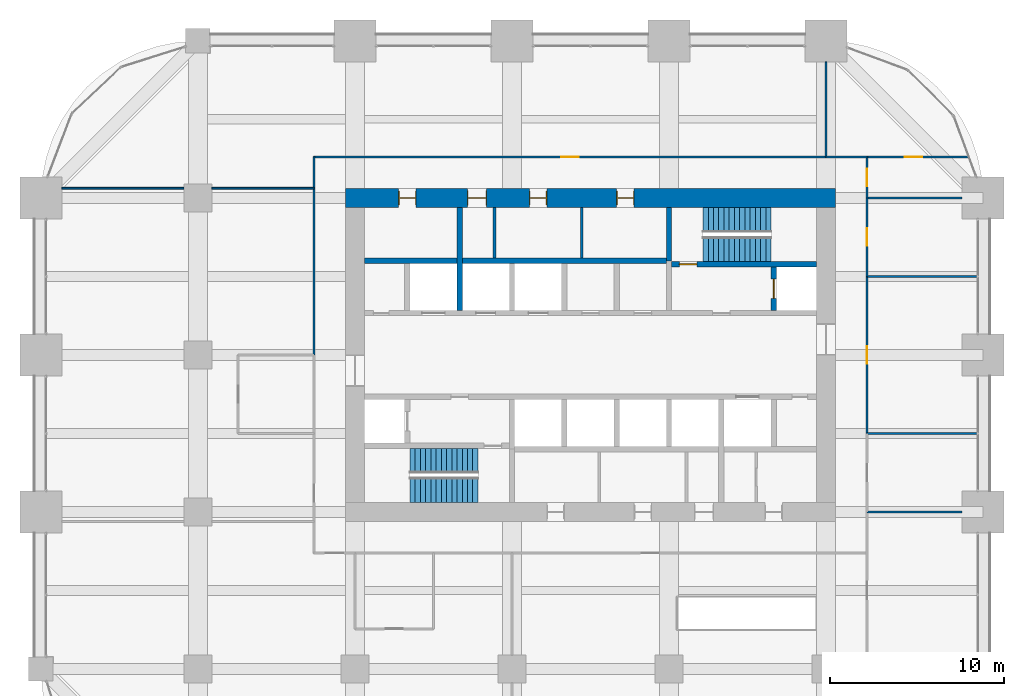
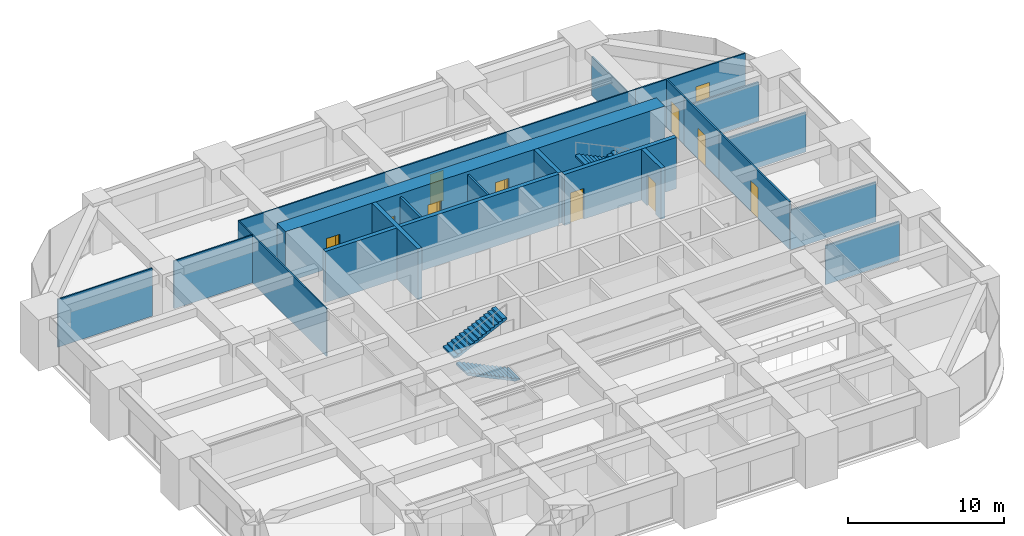
# One storey, part 31 of 33: 22 walls, 11 doors, 4 stair flights, 11 openings, 2 elements without a shape of their own.
"""IFC4 building model written with IfcOpenShell, lengths in metres."""

from ifc_helpers import new_model, si_unit, direction, frame, frame_2d, origin, place, context, subcontext, project, spatial, polyline, rectangle, outline, extrude, material, layer, layer_set, type_object, element, fill, aggregate, save


model = new_model("IFC4")

# Units and contexts
model_context = context("Model", 3, precision=1e-05, world=origin(), true_north=direction((0.0, 1.0)))
body_context = subcontext(model_context, "Body", "Model", "MODEL_VIEW")
ifc_project = project(units=[si_unit("LENGTHUNIT", "METRE"), si_unit("AREAUNIT", "SQUARE_METRE"), si_unit("VOLUMEUNIT", "CUBIC_METRE"), si_unit("PLANEANGLEUNIT", "RADIAN"), si_unit("MASSUNIT", "GRAM", prefix="KILO")], contexts=[model_context])

# Site, building, storey
site_placement = place(None, origin())
site = spatial("IfcSite", under=ifc_project, at=site_placement, CompositionType="ELEMENT")
building_placement = place(site_placement, origin())
building = spatial("IfcBuilding", under=site, at=building_placement, Name="Zorevar Civic Tower", CompositionType="ELEMENT")
storey_placement = place(building_placement, frame((0.0, 0.0, 178.199951171875)))
storey = spatial("IfcBuildingStorey", under=building, at=storey_placement, Name="L43", CompositionType="ELEMENT", Elevation=178.199951171875)

# Wall, openings, doors
ifc_material_1 = material(Name="Concrete C50/60", Category="concrete")
ifc_layer_1 = layer(ifc_material_1, 1.10009765625)
ifc_layer_set_1 = layer_set([ifc_layer_1], Name="Core wall 1100")
wall_type_1 = type_object("IfcWallType", Name="Core wall 1100", PredefinedType="SHEAR", material=ifc_layer_set_1)
wall_1_placement = place(storey_placement, frame((45.550048828125, 36.0, 0.0), z_axis=(0.0, 0.0, 1.0), x_axis=(-1.0, 0.0, 0.0)))
wall_1 = element("IfcWall", 1, at=wall_1_placement, inside=storey, type_object=wall_type_1, Name="Core wall N L43", PredefinedType="SHEAR", context=body_context, shape_type="SweptSolid", body=[
    extrude(rectangle(XDim=28.10009765625, YDim=1.10009765625, at=frame_2d((14.050048828125, 0.0))), origin(), (0.0, 0.0, 1.0), 4.0),
])
opening_1_placement = place(wall_1_placement, frame((11.550048828125, 0.0, 0.0)))
opening_1 = element("IfcOpeningElement", 2, at=opening_1_placement, cuts=wall_1, Name="Opening L43.07", PredefinedType="OPENING", context=body_context, shape_type="SweptSolid", body=[
    extrude(rectangle(XDim=1.0, YDim=2.39990234375, at=frame_2d((0.5, 1.199951171875))), frame((0.0, 0.56005859375, 0.0), z_axis=(0.0, -1.0, 0.0), x_axis=(1.0, 0.0, 0.0)), (0.0, 0.0, 1.0), 1.1201171875),
])
opening_2_placement = place(wall_1_placement, frame((16.550048828125, 0.0, 0.0)))
opening_2 = element("IfcOpeningElement", 3, at=opening_2_placement, cuts=wall_1, Name="Opening L43.08", PredefinedType="OPENING", context=body_context, shape_type="SweptSolid", body=[
    extrude(rectangle(XDim=1.0, YDim=2.39990234375, at=frame_2d((0.5, 1.199951171875))), frame((0.0, 0.56005859375, 0.0), z_axis=(0.0, -1.0, 0.0), x_axis=(1.0, 0.0, 0.0)), (0.0, 0.0, 1.0), 1.1201171875),
])
opening_3_placement = place(wall_1_placement, frame((20.0, 0.0, 0.0)))
opening_3 = element("IfcOpeningElement", 4, at=opening_3_placement, cuts=wall_1, Name="Opening L43.09", PredefinedType="OPENING", context=body_context, shape_type="SweptSolid", body=[
    extrude(rectangle(XDim=1.10009765625, YDim=2.39990234375, at=frame_2d((0.550048828125, 1.199951171875))), frame((0.0, 0.56005859375, 0.0), z_axis=(0.0, -1.0, 0.0), x_axis=(1.0, 0.0, 0.0)), (0.0, 0.0, 1.0), 1.1201171875),
])
opening_4_placement = place(wall_1_placement, frame((24.050048828125, 0.0, 0.0)))
opening_4 = element("IfcOpeningElement", 5, at=opening_4_placement, cuts=wall_1, Name="Opening L43.10", PredefinedType="OPENING", context=body_context, shape_type="SweptSolid", body=[
    extrude(rectangle(XDim=1.0, YDim=2.39990234375, at=frame_2d((0.5, 1.199951171875))), frame((0.0, 0.56005859375, 0.0), z_axis=(0.0, -1.0, 0.0), x_axis=(1.0, 0.0, 0.0)), (0.0, 0.0, 1.0), 1.1201171875),
])
ifc_material_2 = material(Name="Timber door set", Category="wood")
door_type_1 = type_object("IfcDoorType", Name="Door D1 1000x2400", OperationType="SINGLE_SWING_LEFT", PredefinedType="DOOR", material=ifc_material_2)
door_1_placement = place(opening_1_placement, origin())
door_1 = element("IfcDoor", 6, at=door_1_placement, inside=storey, type_object=door_type_1, Name="Door L43 06", OperationType="SINGLE_SWING_RIGHT", OverallHeight=2.39990234375, OverallWidth=1.0, PredefinedType="DOOR", context=body_context, shape_type="SweptSolid", body=[
    extrude(rectangle(XDim=1.0, YDim=2.39990234375, at=frame_2d((0.5, 1.199951171875))), frame((0.0, 0.02490234375, 0.0), z_axis=(0.0, -1.0, 0.0), x_axis=(1.0, 0.0, 0.0)), (0.0, 0.0, 1.0), 0.050048828125),
    extrude(rectangle(XDim=0.04, YDim=2.39990234375, at=frame_2d((0.02001953125, 1.199951171875))), frame((0.0, 0.39990234375, 0.0), z_axis=(0.0, -1.0, 0.0), x_axis=(1.0, 0.0, 0.0)), (0.0, 0.0, 1.0), 0.800048828125),
    extrude(rectangle(XDim=0.04, YDim=2.39990234375, at=frame_2d((0.97998046875, 1.199951171875))), frame((0.0, 0.39990234375, 0.0), z_axis=(0.0, -1.0, 0.0), x_axis=(1.0, 0.0, 0.0)), (0.0, 0.0, 1.0), 0.800048828125),
    extrude(rectangle(XDim=1.0, YDim=0.04, at=frame_2d((0.5, 2.3798828125))), frame((0.0, 0.39990234375, 0.0), z_axis=(0.0, -1.0, 0.0), x_axis=(1.0, 0.0, 0.0)), (0.0, 0.0, 1.0), 0.800048828125),
])
fill(opening_1, door_1)
door_2_placement = place(opening_2_placement, origin())
door_2 = element("IfcDoor", 7, at=door_2_placement, inside=storey, type_object=door_type_1, Name="Door L43 07", OperationType="SINGLE_SWING_LEFT", OverallHeight=2.39990234375, OverallWidth=1.0, PredefinedType="DOOR", context=body_context, shape_type="SweptSolid", body=[
    extrude(rectangle(XDim=1.0, YDim=2.39990234375, at=frame_2d((0.5, 1.199951171875))), frame((0.0, 0.02490234375, 0.0), z_axis=(0.0, -1.0, 0.0), x_axis=(1.0, 0.0, 0.0)), (0.0, 0.0, 1.0), 0.050048828125),
    extrude(rectangle(XDim=0.04, YDim=2.39990234375, at=frame_2d((0.02001953125, 1.199951171875))), frame((0.0, 0.39990234375, 0.0), z_axis=(0.0, -1.0, 0.0), x_axis=(1.0, 0.0, 0.0)), (0.0, 0.0, 1.0), 0.800048828125),
    extrude(rectangle(XDim=0.04, YDim=2.39990234375, at=frame_2d((0.97998046875, 1.199951171875))), frame((0.0, 0.39990234375, 0.0), z_axis=(0.0, -1.0, 0.0), x_axis=(1.0, 0.0, 0.0)), (0.0, 0.0, 1.0), 0.800048828125),
    extrude(rectangle(XDim=1.0, YDim=0.04, at=frame_2d((0.5, 2.3798828125))), frame((0.0, 0.39990234375, 0.0), z_axis=(0.0, -1.0, 0.0), x_axis=(1.0, 0.0, 0.0)), (0.0, 0.0, 1.0), 0.800048828125),
])
fill(opening_2, door_2)
door_3_placement = place(opening_4_placement, origin())
door_3 = element("IfcDoor", 8, at=door_3_placement, inside=storey, type_object=door_type_1, Name="Door L43 09", OperationType="SINGLE_SWING_LEFT", OverallHeight=2.39990234375, OverallWidth=1.0, PredefinedType="DOOR", context=body_context, shape_type="SweptSolid", body=[
    extrude(rectangle(XDim=1.0, YDim=2.39990234375, at=frame_2d((0.5, 1.199951171875))), frame((0.0, 0.02490234375, 0.0), z_axis=(0.0, -1.0, 0.0), x_axis=(1.0, 0.0, 0.0)), (0.0, 0.0, 1.0), 0.050048828125),
    extrude(rectangle(XDim=0.04, YDim=2.39990234375, at=frame_2d((0.02001953125, 1.199951171875))), frame((0.0, 0.39990234375, 0.0), z_axis=(0.0, -1.0, 0.0), x_axis=(1.0, 0.0, 0.0)), (0.0, 0.0, 1.0), 0.800048828125),
    extrude(rectangle(XDim=0.04, YDim=2.39990234375, at=frame_2d((0.97998046875, 1.199951171875))), frame((0.0, 0.39990234375, 0.0), z_axis=(0.0, -1.0, 0.0), x_axis=(1.0, 0.0, 0.0)), (0.0, 0.0, 1.0), 0.800048828125),
    extrude(rectangle(XDim=1.0, YDim=0.04, at=frame_2d((0.5, 2.3798828125))), frame((0.0, 0.39990234375, 0.0), z_axis=(0.0, -1.0, 0.0), x_axis=(1.0, 0.0, 0.0)), (0.0, 0.0, 1.0), 0.800048828125),
])
fill(opening_4, door_3)
ifc_material_3 = material(Name="Timber door set", Category="wood")
door_type_2 = type_object("IfcDoorType", Name="Door D5 1100x2400", OperationType="SINGLE_SWING_LEFT", PredefinedType="DOOR", material=ifc_material_3)
door_4_placement = place(opening_3_placement, origin())
door_4 = element("IfcDoor", 9, at=door_4_placement, inside=storey, type_object=door_type_2, Name="Door L43 08", OperationType="SINGLE_SWING_LEFT", OverallHeight=2.39990234375, OverallWidth=1.10009765625, PredefinedType="DOOR", context=body_context, shape_type="SweptSolid", body=[
    extrude(rectangle(XDim=1.10009765625, YDim=2.39990234375, at=frame_2d((0.550048828125, 1.199951171875))), frame((0.0, 0.02490234375, 0.0), z_axis=(0.0, -1.0, 0.0), x_axis=(1.0, 0.0, 0.0)), (0.0, 0.0, 1.0), 0.050048828125),
    extrude(rectangle(XDim=0.04, YDim=2.39990234375, at=frame_2d((0.02001953125, 1.199951171875))), frame((0.0, 0.43994140625, 0.0), z_axis=(0.0, -1.0, 0.0), x_axis=(1.0, 0.0, 0.0)), (0.0, 0.0, 1.0), 0.880126953125),
    extrude(rectangle(XDim=0.04, YDim=2.39990234375, at=frame_2d((1.080078125, 1.199951171875))), frame((0.0, 0.43994140625, 0.0), z_axis=(0.0, -1.0, 0.0), x_axis=(1.0, 0.0, 0.0)), (0.0, 0.0, 1.0), 0.880126953125),
    extrude(rectangle(XDim=1.10009765625, YDim=0.04, at=frame_2d((0.550048828125, 2.3798828125))), frame((0.0, 0.43994140625, 0.0), z_axis=(0.0, -1.0, 0.0), x_axis=(1.0, 0.0, 0.0)), (0.0, 0.0, 1.0), 0.880126953125),
])
fill(opening_3, door_4)

# Walls
ifc_material_4 = material(Name="Laminated glass in black aluminium frame", Category="aluminium")
ifc_layer_2 = layer(ifc_material_4, 0.10009765625)
ifc_layer_set_2 = layer_set([ifc_layer_2], Name="Glazed partition 100")
wall_type_2 = type_object("IfcWallType", Name="Glazed partition 100", PredefinedType="PARTITIONING", material=ifc_layer_set_2)
wall_2_placement = place(storey_placement, frame((1.199951171875, 36.550048828125, 0.0), z_axis=(0.0, 0.0, 1.0), x_axis=(1.0, 0.0, 0.0)))
element("IfcWall", 10, at=wall_2_placement, inside=storey, type_object=wall_type_2, Name="Glazed partition 100 L43", PredefinedType="PARTITIONING", context=body_context, shape_type="SweptSolid", body=[
    extrude(rectangle(XDim=7.0, YDim=0.10009765625, at=frame_2d((3.5, 0.0))), origin(), (0.0, 0.0, 1.0), 3.75),
])
wall_3_placement = place(storey_placement, frame((9.800048828125, 36.550048828125, 0.0), z_axis=(0.0, 0.0, 1.0), x_axis=(1.0, 0.0, 0.0)))
element("IfcWall", 11, at=wall_3_placement, inside=storey, type_object=wall_type_2, Name="Glazed partition 100 L43", PredefinedType="PARTITIONING", context=body_context, shape_type="SweptSolid", body=[
    extrude(rectangle(XDim=5.849853515625, YDim=0.10009765625, at=frame_2d((2.9248046875, 0.0))), origin(), (0.0, 0.0, 1.0), 3.75),
])

# Wall, opening, door
wall_4_placement = place(storey_placement, frame((15.64990234375, 38.35009765625, 0.0), z_axis=(0.0, 0.0, 1.0), x_axis=(1.0, 0.0, 0.0)))
wall_4 = element("IfcWall", 12, at=wall_4_placement, inside=storey, type_object=wall_type_2, Name="Glazed partition 100 L43", PredefinedType="PARTITIONING", context=body_context, shape_type="SweptSolid", body=[
    extrude(rectangle(XDim=29.35009765625, YDim=0.10009765625, at=frame_2d((14.675048828125, 0.0))), origin(), (0.0, 0.0, 1.0), 3.75),
])
opening_5_placement = place(wall_4_placement, frame((14.175048828125, 0.0, 0.0)))
opening_5 = element("IfcOpeningElement", 13, at=opening_5_placement, cuts=wall_4, Name="Opening L43.28", PredefinedType="OPENING", context=body_context, shape_type="SweptSolid", body=[
    extrude(rectangle(XDim=1.0, YDim=2.39990234375, at=frame_2d((0.5, 1.199951171875))), frame((0.0, 0.06005859375, 0.0), z_axis=(0.0, -1.0, 0.0), x_axis=(1.0, 0.0, 0.0)), (0.0, 0.0, 1.0), 0.1201171875),
])
ifc_material_5 = material(Name="Timber door set", Category="wood")
door_type_3 = type_object("IfcDoorType", Name="Glazed door GD1 1000x2400", OperationType="SINGLE_SWING_LEFT", PredefinedType="DOOR", material=ifc_material_5)
door_5_placement = place(opening_5_placement, origin())
door_5 = element("IfcDoor", 14, at=door_5_placement, inside=storey, type_object=door_type_3, Name="Door L43 D1", OperationType="SINGLE_SWING_LEFT", OverallHeight=2.39990234375, OverallWidth=1.0, PredefinedType="DOOR", context=body_context, shape_type="SweptSolid", body=[
    extrude(rectangle(XDim=1.0, YDim=2.39990234375, at=frame_2d((0.5, 1.199951171875))), frame((0.0, 0.02001953125, 0.0), z_axis=(0.0, -1.0, 0.0), x_axis=(1.0, 0.0, 0.0)), (0.0, 0.0, 1.0), 0.0400390625),
])
fill(opening_5, door_5)

# Wall
wall_5_placement = place(storey_placement, frame((45.0, 38.35009765625, 0.0), z_axis=(0.0, 0.0, 1.0), x_axis=(1.0, 0.0, 0.0)))
element("IfcWall", 15, at=wall_5_placement, inside=storey, type_object=wall_type_2, Name="Glazed partition 100 L43", PredefinedType="PARTITIONING", context=body_context, shape_type="SweptSolid", body=[
    extrude(rectangle(XDim=2.35009765625, YDim=0.10009765625, at=frame_2d((1.175048828125, 0.0))), origin(), (0.0, 0.0, 1.0), 3.75),
])

# Wall, opening, door
wall_6_placement = place(storey_placement, frame((47.35009765625, 38.35009765625, 0.0), z_axis=(0.0, 0.0, 1.0), x_axis=(1.0, 0.0, 0.0)))
wall_6 = element("IfcWall", 16, at=wall_6_placement, inside=storey, type_object=wall_type_2, Name="Glazed partition 100 L43", PredefinedType="PARTITIONING", context=body_context, shape_type="SweptSolid", body=[
    extrude(rectangle(XDim=5.80615234375, YDim=0.10009765625, at=frame_2d((2.903076171875, 0.0))), origin(), (0.0, 0.0, 1.0), 3.75),
])
opening_6_placement = place(wall_6_placement, frame((2.14990234375, 0.0, 0.0)))
opening_6 = element("IfcOpeningElement", 17, at=opening_6_placement, cuts=wall_6, Name="Opening L43.29", PredefinedType="OPENING", context=body_context, shape_type="SweptSolid", body=[
    extrude(rectangle(XDim=1.0, YDim=2.39990234375, at=frame_2d((0.5, 1.199951171875))), frame((0.0, 0.06005859375, 0.0), z_axis=(0.0, -1.0, 0.0), x_axis=(1.0, 0.0, 0.0)), (0.0, 0.0, 1.0), 0.1201171875),
])
door_6_placement = place(opening_6_placement, origin())
door_6 = element("IfcDoor", 18, at=door_6_placement, inside=storey, type_object=door_type_3, Name="Door L43 D1", OperationType="SINGLE_SWING_RIGHT", OverallHeight=2.39990234375, OverallWidth=1.0, PredefinedType="DOOR", context=body_context, shape_type="SweptSolid", body=[
    extrude(rectangle(XDim=1.0, YDim=2.39990234375, at=frame_2d((0.5, 1.199951171875))), frame((0.0, 0.02001953125, 0.0), z_axis=(0.0, -1.0, 0.0), x_axis=(1.0, 0.0, 0.0)), (0.0, 0.0, 1.0), 0.0400390625),
])
fill(opening_6, door_6)

# Walls
wall_7_placement = place(storey_placement, frame((15.64990234375, 27.0, 0.0), z_axis=(0.0, 0.0, 1.0), x_axis=(0.0, 1.0, 0.0)))
element("IfcWall", 19, at=wall_7_placement, inside=storey, type_object=wall_type_2, Name="Glazed partition 100 L43", PredefinedType="PARTITIONING", context=body_context, shape_type="SweptSolid", body=[
    extrude(rectangle(XDim=11.35009765625, YDim=0.10009765625, at=frame_2d((5.675048828125, 0.0))), origin(), (0.0, 0.0, 1.0), 3.75),
])
wall_8_placement = place(storey_placement, frame((45.0, 38.35009765625, 0.0), z_axis=(0.0, 0.0, 1.0), x_axis=(0.0, 1.0, 0.0)))
element("IfcWall", 20, at=wall_8_placement, inside=storey, type_object=wall_type_2, Name="Glazed partition 100 L43", PredefinedType="PARTITIONING", context=body_context, shape_type="SweptSolid", body=[
    extrude(rectangle(XDim=5.449951171875, YDim=0.10009765625, at=frame_2d((2.72509765625, 0.0))), origin(), (0.0, 0.0, 1.0), 3.050048828125),
])

# Wall, opening, door
wall_9_placement = place(storey_placement, frame((47.35009765625, 36.0, 0.0), z_axis=(0.0, 0.0, 1.0), x_axis=(0.0, 1.0, 0.0)))
wall_9 = element("IfcWall", 21, at=wall_9_placement, inside=storey, type_object=wall_type_2, Name="Glazed partition 100 L43", PredefinedType="PARTITIONING", context=body_context, shape_type="SweptSolid", body=[
    extrude(rectangle(XDim=2.35009765625, YDim=0.10009765625, at=frame_2d((1.175048828125, 0.0))), origin(), (0.0, 0.0, 1.0), 3.75),
])
opening_7_placement = place(wall_9_placement, frame((0.675048828125, 0.0, 0.0)))
opening_7 = element("IfcOpeningElement", 22, at=opening_7_placement, cuts=wall_9, Name="Opening L43.36", PredefinedType="OPENING", context=body_context, shape_type="SweptSolid", body=[
    extrude(rectangle(XDim=1.0, YDim=2.39990234375, at=frame_2d((0.5, 1.199951171875))), frame((0.0, 0.06005859375, 0.0), z_axis=(0.0, -1.0, 0.0), x_axis=(1.0, 0.0, 0.0)), (0.0, 0.0, 1.0), 0.1201171875),
])
door_7_placement = place(opening_7_placement, origin())
door_7 = element("IfcDoor", 23, at=door_7_placement, inside=storey, type_object=door_type_3, Name="Door L43 D1", OperationType="SINGLE_SWING_LEFT", OverallHeight=2.39990234375, OverallWidth=1.0, PredefinedType="DOOR", context=body_context, shape_type="SweptSolid", body=[
    extrude(rectangle(XDim=1.0, YDim=2.39990234375, at=frame_2d((0.5, 1.199951171875))), frame((0.0, 0.02001953125, 0.0), z_axis=(0.0, -1.0, 0.0), x_axis=(1.0, 0.0, 0.0)), (0.0, 0.0, 1.0), 0.0400390625),
])
fill(opening_7, door_7)

ifc_material_6 = material(Name="Concrete C40/50", Category="concrete")
ifc_layer_3 = layer(ifc_material_6, 0.300048828125)
ifc_layer_set_3 = layer_set([ifc_layer_3], Name="Inner core wall 300")
wall_type_3 = type_object("IfcWallType", Name="Inner core wall 300", PredefinedType="SHEAR", material=ifc_layer_set_3)
wall_10_placement = place(storey_placement, frame((36.14990234375, 32.199951171875, 0.0), z_axis=(0.0, 0.0, 1.0), x_axis=(1.0, 0.0, 0.0)))
wall_10 = element("IfcWall", 24, at=wall_10_placement, inside=storey, type_object=wall_type_3, Name="Inner core wall N00 L43", PredefinedType="SHEAR", context=body_context, shape_type="SweptSolid", body=[
    extrude(rectangle(XDim=8.300048828125, YDim=0.300048828125, at=frame_2d((4.14990234375, 0.0))), origin(), (0.0, 0.0, 1.0), 4.0),
])
opening_8_placement = place(wall_10_placement, frame((0.449951171875, 0.0, 0.0)))
opening_8 = element("IfcOpeningElement", 25, at=opening_8_placement, cuts=wall_10, Name="Opening L43.12", PredefinedType="OPENING", context=body_context, shape_type="SweptSolid", body=[
    extrude(rectangle(XDim=1.0, YDim=2.39990234375, at=frame_2d((0.5, 1.199951171875))), frame((0.0, 0.159912109375, 0.0), z_axis=(0.0, -1.0, 0.0), x_axis=(1.0, 0.0, 0.0)), (0.0, 0.0, 1.0), 0.320068359375),
])
ifc_material_7 = material(Name="Steel door set", Category="steel")
door_type_4 = type_object("IfcDoorType", Name="Fire door FD1 1000x2400", OperationType="SINGLE_SWING_LEFT", PredefinedType="DOOR", material=ifc_material_7)
door_8_placement = place(opening_8_placement, origin())
door_8 = element("IfcDoor", 26, at=door_8_placement, inside=storey, type_object=door_type_4, Name="Door L43 11", OperationType="SINGLE_SWING_RIGHT", OverallHeight=2.39990234375, OverallWidth=1.0, PredefinedType="DOOR", context=body_context, shape_type="SweptSolid", body=[
    extrude(rectangle(XDim=1.0, YDim=2.39990234375, at=frame_2d((0.5, 1.199951171875))), frame((0.0, 0.030029296875, 0.0), z_axis=(0.0, -1.0, 0.0), x_axis=(1.0, 0.0, 0.0)), (0.0, 0.0, 1.0), 0.06005859375),
])
fill(opening_8, door_8)

# Wall
wall_11_placement = place(storey_placement, frame((36.0, 32.39990234375, 0.0), z_axis=(0.0, 0.0, 1.0), x_axis=(0.0, 1.0, 0.0)))
element("IfcWall", 27, at=wall_11_placement, inside=storey, type_object=wall_type_3, Name="Inner core wall N01 L43", PredefinedType="SHEAR", context=body_context, shape_type="SweptSolid", body=[
    extrude(rectangle(XDim=3.050048828125, YDim=0.300048828125, at=frame_2d((1.52490234375, 0.0))), origin(), (0.0, 0.0, 1.0), 4.0),
])

# Wall, opening, door
wall_12_placement = place(storey_placement, frame((42.0, 29.550048828125, 0.0), z_axis=(0.0, 0.0, 1.0), x_axis=(0.0, 1.0, 0.0)))
wall_12 = element("IfcWall", 28, at=wall_12_placement, inside=storey, type_object=wall_type_3, Name="Inner core wall N02 L43", PredefinedType="SHEAR", context=body_context, shape_type="SweptSolid", body=[
    extrude(rectangle(XDim=2.5, YDim=0.300048828125, at=frame_2d((1.25, 0.0))), origin(), (0.0, 0.0, 1.0), 4.0),
])
opening_9_placement = place(wall_12_placement, frame((0.699951171875, 0.0, 0.0)))
opening_9 = element("IfcOpeningElement", 29, at=opening_9_placement, cuts=wall_12, Name="Opening L43.FL2", PredefinedType="OPENING", context=body_context, shape_type="SweptSolid", body=[
    extrude(rectangle(XDim=1.10009765625, YDim=2.39990234375, at=frame_2d((0.550048828125, 1.199951171875))), frame((0.0, 0.159912109375, 0.0), z_axis=(0.0, -1.0, 0.0), x_axis=(1.0, 0.0, 0.0)), (0.0, 0.0, 1.0), 0.320068359375),
])
ifc_material_8 = material(Name="Steel door set", Category="steel")
door_type_5 = type_object("IfcDoorType", Name="Firefighting lift landing door LD3 1100x2400", OperationType="DOUBLE_DOOR_SLIDING", PredefinedType="DOOR", material=ifc_material_8)
door_9_placement = place(opening_9_placement, origin())
door_9 = element("IfcDoor", 30, at=door_9_placement, inside=storey, type_object=door_type_5, Name="Landing door FL2 L43", OperationType="DOUBLE_DOOR_SLIDING", OverallHeight=2.39990234375, OverallWidth=1.10009765625, PredefinedType="DOOR", context=body_context, shape_type="SweptSolid", body=[
    extrude(rectangle(XDim=1.10009765625, YDim=2.39990234375, at=frame_2d((0.550048828125, 1.199951171875))), frame((0.0, 0.030029296875, 0.0), z_axis=(0.0, -1.0, 0.0), x_axis=(1.0, 0.0, 0.0)), (0.0, 0.0, 1.0), 0.06005859375),
])
fill(opening_9, door_9)

# Walls
wall_13_placement = place(storey_placement, frame((18.550048828125, 32.39990234375, 0.0), z_axis=(0.0, 0.0, 1.0), x_axis=(1.0, 0.0, 0.0)))
element("IfcWall", 31, at=wall_13_placement, inside=storey, type_object=wall_type_3, Name="Inner core wall N04 L43", PredefinedType="SHEAR", context=body_context, shape_type="SweptSolid", body=[
    extrude(rectangle(XDim=17.300048828125, YDim=0.300048828125, at=frame_2d((8.64990234375, 0.0))), origin(), (0.0, 0.0, 1.0), 4.0),
])
wall_14_placement = place(storey_placement, frame((24.0, 29.550048828125, 0.0), z_axis=(0.0, 0.0, 1.0), x_axis=(0.0, 1.0, 0.0)))
element("IfcWall", 32, at=wall_14_placement, inside=storey, type_object=wall_type_3, Name="Inner core wall N08 L43", PredefinedType="SHEAR", context=body_context, shape_type="SweptSolid", body=[
    extrude(rectangle(XDim=5.89990234375, YDim=0.300048828125, at=frame_2d((2.949951171875, 0.0))), origin(), (0.0, 0.0, 1.0), 4.0),
])
ifc_material_9 = material(Name="Gypsum board on steel studs", Category="steel")
ifc_layer_4 = layer(ifc_material_9, 0.1201171875)
ifc_layer_set_4 = layer_set([ifc_layer_4], Name="Partition 120")
wall_type_4 = type_object("IfcWallType", Name="Partition 120", PredefinedType="PARTITIONING", material=ifc_layer_set_4)
wall_15_placement = place(storey_placement, frame((47.35009765625, 18.0, 0.0), z_axis=(0.0, 0.0, 1.0), x_axis=(1.0, 0.0, 0.0)))
element("IfcWall", 33, at=wall_15_placement, inside=storey, type_object=wall_type_4, Name="Partition 120 L43", PredefinedType="PARTITIONING", context=body_context, shape_type="SweptSolid", body=[
    extrude(rectangle(XDim=5.449951171875, YDim=0.1201171875, at=frame_2d((2.72509765625, 0.0))), origin(), (0.0, 0.0, 1.0), 3.050048828125),
])
for number, where, z_axis, x_axis, name in (
    (34, (47.35009765625, 22.5, 0.0), (0.0, 0.0, 1.0), (1.0, 0.0, 0.0), "Partition 120 L43"),
    (35, (47.35009765625, 31.5, 0.0), (0.0, 0.0, 1.0), (1.0, 0.0, 0.0), "Partition 120 L43"),
):
    element("IfcWall", number, at=place(storey_placement, frame(where, z_axis=z_axis, x_axis=x_axis)), inside=storey, type_object=wall_type_4, Name=name, PredefinedType="PARTITIONING", context=body_context, shape_type="SweptSolid", body=[
        extrude(rectangle(XDim=6.33984375, YDim=0.1201171875, at=frame_2d((3.169921875, 0.0))), origin(), (0.0, 0.0, 1.0), 3.10009765625),
    ])
wall_16_placement = place(storey_placement, frame((47.35009765625, 36.0, 0.0), z_axis=(0.0, 0.0, 1.0), x_axis=(1.0, 0.0, 0.0)))
element("IfcWall", 36, at=wall_16_placement, inside=storey, type_object=wall_type_4, Name="Partition 120 L43", PredefinedType="PARTITIONING", context=body_context, shape_type="SweptSolid", body=[
    extrude(rectangle(XDim=5.449951171875, YDim=0.1201171875, at=frame_2d((2.72509765625, 0.0))), origin(), (0.0, 0.0, 1.0), 3.050048828125),
])

# Wall, opening, door
wall_17_placement = place(storey_placement, frame((47.35009765625, 22.5, 0.0), z_axis=(0.0, 0.0, 1.0), x_axis=(0.0, 1.0, 0.0)))
wall_17 = element("IfcWall", 37, at=wall_17_placement, inside=storey, type_object=wall_type_4, Name="Partition 120 L43", PredefinedType="PARTITIONING", context=body_context, shape_type="SweptSolid", body=[
    extrude(rectangle(XDim=9.0, YDim=0.1201171875, at=frame_2d((4.5, 0.0))), origin(), (0.0, 0.0, 1.0), 3.75),
])
opening_10_placement = place(wall_17_placement, frame((4.0, 0.0, 0.0)))
opening_10 = element("IfcOpeningElement", 38, at=opening_10_placement, cuts=wall_17, Name="Opening L43.34", PredefinedType="OPENING", context=body_context, shape_type="SweptSolid", body=[
    extrude(rectangle(XDim=1.0, YDim=2.39990234375, at=frame_2d((0.5, 1.199951171875))), frame((0.0, 0.070068359375, 0.0), z_axis=(0.0, -1.0, 0.0), x_axis=(1.0, 0.0, 0.0)), (0.0, 0.0, 1.0), 0.14013671875),
])
door_10_placement = place(opening_10_placement, origin())
door_10 = element("IfcDoor", 39, at=door_10_placement, inside=storey, type_object=door_type_1, Name="Door L43 D1", OperationType="SINGLE_SWING_LEFT", OverallHeight=2.39990234375, OverallWidth=1.0, PredefinedType="DOOR", context=body_context, shape_type="SweptSolid", body=[
    extrude(rectangle(XDim=1.0, YDim=2.39990234375, at=frame_2d((0.5, 1.199951171875))), frame((0.0, 0.02490234375, 0.0), z_axis=(0.0, -1.0, 0.0), x_axis=(1.0, 0.0, 0.0)), (0.0, 0.0, 1.0), 0.050048828125),
])
fill(opening_10, door_10)

wall_18_placement = place(storey_placement, frame((47.35009765625, 31.5, 0.0), z_axis=(0.0, 0.0, 1.0), x_axis=(0.0, 1.0, 0.0)))
wall_18 = element("IfcWall", 40, at=wall_18_placement, inside=storey, type_object=wall_type_4, Name="Partition 120 L43", PredefinedType="PARTITIONING", context=body_context, shape_type="SweptSolid", body=[
    extrude(rectangle(XDim=4.5, YDim=0.1201171875, at=frame_2d((2.25, 0.0))), origin(), (0.0, 0.0, 1.0), 3.75),
])
opening_11_placement = place(wall_18_placement, frame((1.75, 0.0, 0.0)))
opening_11 = element("IfcOpeningElement", 41, at=opening_11_placement, cuts=wall_18, Name="Opening L43.35", PredefinedType="OPENING", context=body_context, shape_type="SweptSolid", body=[
    extrude(rectangle(XDim=1.0, YDim=2.39990234375, at=frame_2d((0.5, 1.199951171875))), frame((0.0, 0.070068359375, 0.0), z_axis=(0.0, -1.0, 0.0), x_axis=(1.0, 0.0, 0.0)), (0.0, 0.0, 1.0), 0.14013671875),
])
door_11_placement = place(opening_11_placement, origin())
door_11 = element("IfcDoor", 42, at=door_11_placement, inside=storey, type_object=door_type_1, Name="Door L43 D1", OperationType="SINGLE_SWING_RIGHT", OverallHeight=2.39990234375, OverallWidth=1.0, PredefinedType="DOOR", context=body_context, shape_type="SweptSolid", body=[
    extrude(rectangle(XDim=1.0, YDim=2.39990234375, at=frame_2d((0.5, 1.199951171875))), frame((0.0, 0.02490234375, 0.0), z_axis=(0.0, -1.0, 0.0), x_axis=(1.0, 0.0, 0.0)), (0.0, 0.0, 1.0), 0.050048828125),
])
fill(opening_11, door_11)

# Walls
ifc_material_10 = material(Name="Gypsum board on steel studs, moisture resistant", Category="steel")
ifc_layer_5 = layer(ifc_material_10, 0.14990234375)
ifc_layer_set_5 = layer_set([ifc_layer_5], Name="WC partition 150")
wall_type_5 = type_object("IfcWallType", Name="WC partition 150", PredefinedType="PARTITIONING", material=ifc_layer_set_5)
for number, where, z_axis, x_axis, name in (
    (43, (31.0, 32.550048828125, 0.0), (0.0, 0.0, 1.0), (0.0, 1.0, 0.0), "WC partition L43"),
    (44, (26.0, 32.550048828125, 0.0), (0.0, 0.0, 1.0), (0.0, 1.0, 0.0), "WC partition L43"),
):
    element("IfcWall", number, at=place(storey_placement, frame(where, z_axis=z_axis, x_axis=x_axis)), inside=storey, type_object=wall_type_5, Name=name, PredefinedType="PARTITIONING", context=body_context, shape_type="SweptSolid", body=[
        extrude(rectangle(XDim=2.89990234375, YDim=0.14990234375, at=frame_2d((1.449951171875, 0.0))), origin(), (0.0, 0.0, 1.0), 3.75),
    ])

# Stair, stair flights
ifc_material_11 = material(Name="Precast concrete C40/50", Category="concrete")
stair_type = type_object("IfcStairType", Name="Stair ST 28R", PredefinedType="HALF_TURN_STAIR", material=ifc_material_11)
stair_1_placement = place(storey_placement, origin())
stair_1 = element("IfcStair", 45, at=stair_1_placement, inside=storey, type_object=stair_type, Name="Stair ST1 L43", PredefinedType="HALF_TURN_STAIR")
ifc_material_12 = material(Name="Precast concrete C40/50", Category="concrete")
stair_flight_type = type_object("IfcStairFlightType", Name="Stair flight", PredefinedType="STRAIGHT", material=ifc_material_12)
stair_flight_1_placement = place(storey_placement, frame((25.050048828125, 19.262451171875, 0.0), z_axis=(0.0, 0.0, 1.0), x_axis=(-1.0, 0.0, 0.0)))
stair_flight_1 = element("IfcStairFlight", 46, at=stair_flight_1_placement, type_object=stair_flight_type, Name="ST1 flight 1", NumberOfRisers=14, NumberOfTreads=13, PredefinedType="STRAIGHT", RiserHeight=0.142857143, TreadLength=0.3, context=body_context, shape_type="SweptSolid", body=[
    extrude(outline(polyline([(0.0, 0.0), (0.0, 0.142822265625), (0.300048828125, 0.142822265625), (0.300048828125, 0.28564453125), (0.60009765625, 0.28564453125), (0.60009765625, 0.428466796875), (0.89990234375, 0.428466796875), (0.89990234375, 0.571533203125), (1.199951171875, 0.571533203125), (1.199951171875, 0.71435546875), (1.5, 0.71435546875), (1.5, 0.857177734375), (1.800048828125, 0.857177734375), (1.800048828125, 1.0), (2.10009765625, 1.0), (2.10009765625, 1.142822265625), (2.39990234375, 1.142822265625), (2.39990234375, 1.28564453125), (2.699951171875, 1.28564453125), (2.699951171875, 1.428466796875), (3.0, 1.428466796875), (3.0, 1.571533203125), (3.300048828125, 1.571533203125), (3.300048828125, 1.71435546875), (3.60009765625, 1.71435546875), (3.60009765625, 1.857177734375), (3.89990234375, 1.857177734375), (3.89990234375, 2.0), (3.89990234375, 1.691162109375), (0.3486328125, 0.0), (0.0, 0.0)])), frame((0.0, 0.71240234375, 0.0), z_axis=(0.0, -1.0, 0.0), x_axis=(1.0, 0.0, 0.0)), (0.0, 0.0, 1.0), 1.425048828125),
])
stair_flight_2_placement = place(storey_placement, frame((21.14990234375, 20.9375, 2.0), z_axis=(0.0, 0.0, 1.0), x_axis=(1.0, 0.0, 0.0)))
stair_flight_2 = element("IfcStairFlight", 47, at=stair_flight_2_placement, type_object=stair_flight_type, Name="ST1 flight 2", NumberOfRisers=14, NumberOfTreads=13, PredefinedType="STRAIGHT", RiserHeight=0.142857143, TreadLength=0.3, context=body_context, shape_type="SweptSolid", body=[
    extrude(outline(polyline([(0.0, 0.0), (0.0, 0.142822265625), (0.300048828125, 0.142822265625), (0.300048828125, 0.28564453125), (0.60009765625, 0.28564453125), (0.60009765625, 0.428466796875), (0.89990234375, 0.428466796875), (0.89990234375, 0.571533203125), (1.199951171875, 0.571533203125), (1.199951171875, 0.71435546875), (1.5, 0.71435546875), (1.5, 0.857177734375), (1.800048828125, 0.857177734375), (1.800048828125, 1.0), (2.10009765625, 1.0), (2.10009765625, 1.142822265625), (2.39990234375, 1.142822265625), (2.39990234375, 1.28564453125), (2.699951171875, 1.28564453125), (2.699951171875, 1.428466796875), (3.0, 1.428466796875), (3.0, 1.571533203125), (3.300048828125, 1.571533203125), (3.300048828125, 1.71435546875), (3.60009765625, 1.71435546875), (3.60009765625, 1.857177734375), (3.89990234375, 1.857177734375), (3.89990234375, 2.0), (3.89990234375, 1.691162109375), (0.3486328125, 0.0), (0.0, 0.0)])), frame((0.0, 0.71240234375, 0.0), z_axis=(0.0, -1.0, 0.0), x_axis=(1.0, 0.0, 0.0)), (0.0, 0.0, 1.0), 1.425048828125),
])
aggregate(stair_1, [stair_flight_1, stair_flight_2])

stair_2_placement = place(storey_placement, origin())
stair_2 = element("IfcStair", 48, at=stair_2_placement, inside=storey, type_object=stair_type, Name="Stair ST2 L43", PredefinedType="HALF_TURN_STAIR")
stair_flight_3_placement = place(storey_placement, frame((37.949951171875, 34.737548828125, 0.0), z_axis=(0.0, 0.0, 1.0), x_axis=(1.0, 0.0, 0.0)))
stair_flight_3 = element("IfcStairFlight", 49, at=stair_flight_3_placement, type_object=stair_flight_type, Name="ST2 flight 1", NumberOfRisers=14, NumberOfTreads=13, PredefinedType="STRAIGHT", RiserHeight=0.142857143, TreadLength=0.3, context=body_context, shape_type="SweptSolid", body=[
    extrude(outline(polyline([(0.0, 0.0), (0.0, 0.142822265625), (0.300048828125, 0.142822265625), (0.300048828125, 0.28564453125), (0.60009765625, 0.28564453125), (0.60009765625, 0.428466796875), (0.89990234375, 0.428466796875), (0.89990234375, 0.571533203125), (1.199951171875, 0.571533203125), (1.199951171875, 0.71435546875), (1.5, 0.71435546875), (1.5, 0.857177734375), (1.800048828125, 0.857177734375), (1.800048828125, 1.0), (2.10009765625, 1.0), (2.10009765625, 1.142822265625), (2.39990234375, 1.142822265625), (2.39990234375, 1.28564453125), (2.699951171875, 1.28564453125), (2.699951171875, 1.428466796875), (3.0, 1.428466796875), (3.0, 1.571533203125), (3.300048828125, 1.571533203125), (3.300048828125, 1.71435546875), (3.60009765625, 1.71435546875), (3.60009765625, 1.857177734375), (3.89990234375, 1.857177734375), (3.89990234375, 2.0), (3.89990234375, 1.691162109375), (0.3486328125, 0.0), (0.0, 0.0)])), frame((0.0, 0.71240234375, 0.0), z_axis=(0.0, -1.0, 0.0), x_axis=(1.0, 0.0, 0.0)), (0.0, 0.0, 1.0), 1.425048828125),
])
stair_flight_4_placement = place(storey_placement, frame((41.85009765625, 33.0625, 2.0), z_axis=(0.0, 0.0, 1.0), x_axis=(-1.0, 0.0, 0.0)))
stair_flight_4 = element("IfcStairFlight", 50, at=stair_flight_4_placement, type_object=stair_flight_type, Name="ST2 flight 2", NumberOfRisers=14, NumberOfTreads=13, PredefinedType="STRAIGHT", RiserHeight=0.142857143, TreadLength=0.3, context=body_context, shape_type="SweptSolid", body=[
    extrude(outline(polyline([(0.0, 0.0), (0.0, 0.142822265625), (0.300048828125, 0.142822265625), (0.300048828125, 0.28564453125), (0.60009765625, 0.28564453125), (0.60009765625, 0.428466796875), (0.89990234375, 0.428466796875), (0.89990234375, 0.571533203125), (1.199951171875, 0.571533203125), (1.199951171875, 0.71435546875), (1.5, 0.71435546875), (1.5, 0.857177734375), (1.800048828125, 0.857177734375), (1.800048828125, 1.0), (2.10009765625, 1.0), (2.10009765625, 1.142822265625), (2.39990234375, 1.142822265625), (2.39990234375, 1.28564453125), (2.699951171875, 1.28564453125), (2.699951171875, 1.428466796875), (3.0, 1.428466796875), (3.0, 1.571533203125), (3.300048828125, 1.571533203125), (3.300048828125, 1.71435546875), (3.60009765625, 1.71435546875), (3.60009765625, 1.857177734375), (3.89990234375, 1.857177734375), (3.89990234375, 2.0), (3.89990234375, 1.691162109375), (0.3486328125, 0.0), (0.0, 0.0)])), frame((0.0, 0.71240234375, 0.0), z_axis=(0.0, -1.0, 0.0), x_axis=(1.0, 0.0, 0.0)), (0.0, 0.0, 1.0), 1.425048828125),
])
aggregate(stair_2, [stair_flight_3, stair_flight_4])

save(model, "model.ifc")
